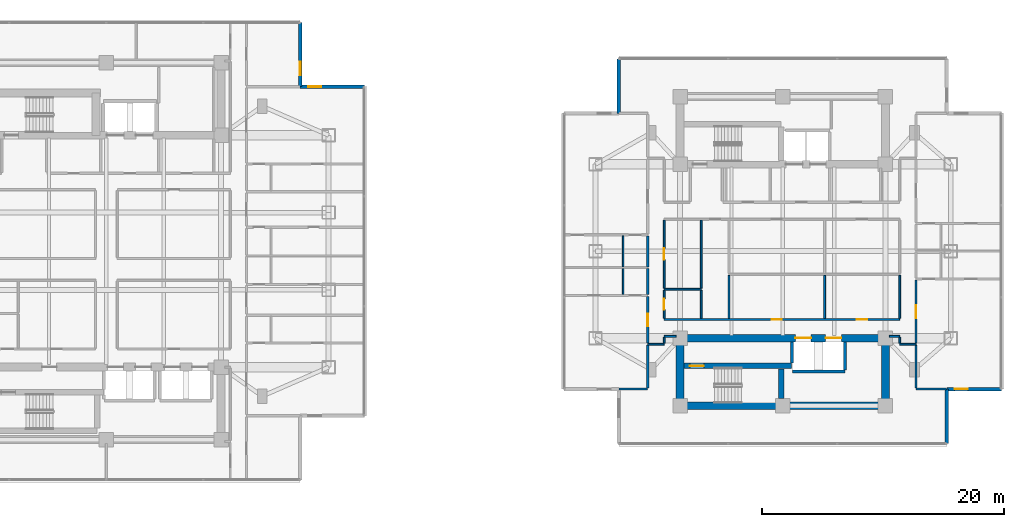
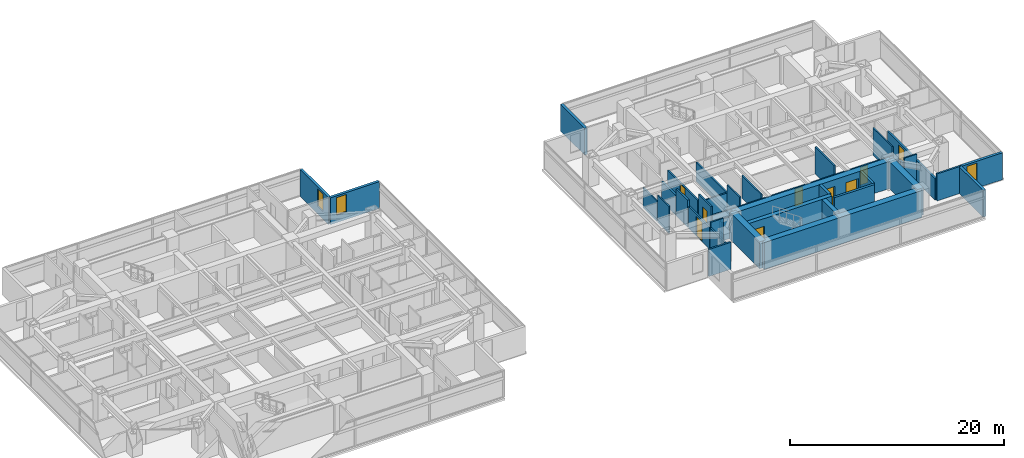
# One storey, part 16 of 24: 39 walls, 9 doors, 3 windows, 12 openings.
"""IFC4 building model written with IfcOpenShell, lengths in metres."""

from ifc_helpers import new_model, si_unit, direction, frame, frame_2d, origin, place, context, subcontext, project, spatial, rectangle, extrude, material, layer, layer_set, type_object, element, fill, save


model = new_model("IFC4")

# Units and contexts
model_context = context("Model", 3, precision=1e-05, world=origin(), true_north=direction((0.0, 1.0)))
body_context = subcontext(model_context, "Body", "Model", "MODEL_VIEW")
ifc_project = project(units=[si_unit("LENGTHUNIT", "METRE"), si_unit("AREAUNIT", "SQUARE_METRE"), si_unit("VOLUMEUNIT", "CUBIC_METRE"), si_unit("PLANEANGLEUNIT", "RADIAN"), si_unit("MASSUNIT", "GRAM", prefix="KILO")], contexts=[model_context])

# Site, building, storey
site_placement = place(None, origin())
site = spatial("IfcSite", under=ifc_project, at=site_placement, CompositionType="ELEMENT")
building_placement = place(site_placement, origin())
building = spatial("IfcBuilding", under=site, at=building_placement, Name="Mirazonda Arch Towers", CompositionType="ELEMENT")
storey_placement = place(building_placement, frame((0.0, 0.0, 101.60009765625)))
storey = spatial("IfcBuildingStorey", under=building, at=storey_placement, Name="L28", CompositionType="ELEMENT", Elevation=101.60009765625)

# Wall, opening, door
ifc_material_1 = material(Name="Concrete C50/60", Category="concrete")
ifc_layer_1 = layer(ifc_material_1, 0.449951171875, Name="WALL-CORE-450")
ifc_layer_set_1 = layer_set([ifc_layer_1], Name="Concrete C50/60")
wall_type_1 = type_object("IfcWallType", Name="WALL-CORE-450", PredefinedType="SHEAR", material=ifc_layer_set_1)
wall_1_placement = place(storey_placement, frame((68.320068359375, 18.5, 0.0), z_axis=(0.0, 0.0, 1.0), x_axis=(1.0, 0.0, 0.0)))
wall_1 = element("IfcWall", 1, at=wall_1_placement, inside=storey, type_object=wall_type_1, Name="L28 Stair Core Shear Wall 014", PredefinedType="SHEAR", context=body_context, shape_type="SweptSolid", body=[
    extrude(rectangle(XDim=8.89990234375, YDim=0.449951171875, at=frame_2d((4.449951171875, 0.0))), origin(), (0.0, 0.0, 1.0), 3.079833984375),
])
opening_1_placement = place(wall_1_placement, frame((0.4951171875, 0.0, 0.0)))
opening_1 = element("IfcOpeningElement", 2, at=opening_1_placement, cuts=wall_1, Name="Opening DR-135", PredefinedType="OPENING", context=body_context, shape_type="SweptSolid", body=[
    extrude(rectangle(XDim=1.14990234375, YDim=2.199951171875, at=frame_2d((0.574951171875, 1.10009765625))), frame((0.0, 0.23486328125, 0.0), z_axis=(0.0, -1.0, 0.0), x_axis=(1.0, 0.0, 0.0)), (0.0, 0.0, 1.0), 0.469970703125),
])
ifc_material_2 = material(Name="Architectural Brushed Steel S355", Category="steel")
door_type_1 = type_object("IfcDoorType", Name="DOOR-STAIR-FD90-1150", OperationType="NOTDEFINED", PredefinedType="DOOR", material=ifc_material_2)
door_1_placement = place(opening_1_placement, origin())
door_1 = element("IfcDoor", 3, at=door_1_placement, inside=storey, type_object=door_type_1, Name="L28 East Protected Stair South Door", OperationType="SINGLE_SWING_RIGHT", OverallHeight=2.199951171875, OverallWidth=1.14990234375, PredefinedType="DOOR", context=body_context, shape_type="SweptSolid", body=[
    extrude(rectangle(XDim=1.14990234375, YDim=2.199951171875, at=frame_2d((0.574951171875, 1.10009765625))), frame((0.0, 0.02490234375, 0.0), z_axis=(0.0, -1.0, 0.0), x_axis=(1.0, 0.0, 0.0)), (0.0, 0.0, 1.0), 0.050048828125),
])
fill(opening_1, door_1)

# Walls
wall_2_placement = place(storey_placement, frame((76.360107421875, 15.81494140625, 0.0), z_axis=(0.0, 0.0, 1.0), x_axis=(0.0, 1.0, 0.0)))
element("IfcWall", 4, at=wall_2_placement, inside=storey, type_object=wall_type_1, Name="L28 Stair Core Shear Wall 151", PredefinedType="SHEAR", context=body_context, shape_type="SweptSolid", body=[
    extrude(rectangle(XDim=2.449951171875, YDim=0.449951171875, at=frame_2d((1.22509765625, 0.0))), origin(), (0.0, 0.0, 1.0), 3.079833984375),
])
ifc_material_3 = material(Name="Concrete C60/75", Category="concrete")
ifc_layer_2 = layer(ifc_material_3, 0.64990234375, Name="WALL-CORE-650")
ifc_layer_set_2 = layer_set([ifc_layer_2], Name="Concrete C60/75")
wall_type_2 = type_object("IfcWallType", Name="WALL-CORE-650", PredefinedType="SHEAR", material=ifc_layer_set_2)
wall_3_placement = place(storey_placement, frame((68.0, 15.199951171875, 0.0), z_axis=(0.0, 0.0, 1.0), x_axis=(1.0, 0.0, 0.0)))
element("IfcWall", 5, at=wall_3_placement, inside=storey, type_object=wall_type_2, Name="L28 T2S-S Core Shear Wall", PredefinedType="SHEAR", context=body_context, shape_type="SweptSolid", body=[
    extrude(rectangle(XDim=17.0, YDim=0.64990234375, at=frame_2d((8.5, 0.0))), origin(), (0.0, 0.0, 1.0), 3.079833984375),
])
for number, where, z_axis, x_axis, name in (
    (6, (68.0, 15.199951171875, 0.0), (0.0, 0.0, 1.0), (0.0, 1.0, 0.0), "L28 T2S-W Core Shear Wall"),
    (7, (85.0, 15.199951171875, 0.0), (0.0, 0.0, 1.0), (0.0, 1.0, 0.0), "L28 T2S-E Core Shear Wall"),
):
    element("IfcWall", number, at=place(storey_placement, frame(where, z_axis=z_axis, x_axis=x_axis)), inside=storey, type_object=wall_type_2, Name=name, PredefinedType="SHEAR", context=body_context, shape_type="SweptSolid", body=[
        extrude(rectangle(XDim=5.60009765625, YDim=0.64990234375, at=frame_2d((2.800048828125, 0.0))), origin(), (0.0, 0.0, 1.0), 3.079833984375),
    ])

# Wall, openings, doors
wall_4_placement = place(storey_placement, frame((68.0, 20.800048828125, 0.0), z_axis=(0.0, 0.0, 1.0), x_axis=(1.0, 0.0, 0.0)))
wall_4 = element("IfcWall", 8, at=wall_4_placement, inside=storey, type_object=wall_type_2, Name="L28 T2S-N Core Shear Wall", PredefinedType="SHEAR", context=body_context, shape_type="SweptSolid", body=[
    extrude(rectangle(XDim=17.0, YDim=0.64990234375, at=frame_2d((8.5, 0.0))), origin(), (0.0, 0.0, 1.0), 3.079833984375),
])
opening_2_placement = place(wall_4_placement, frame((9.550048828125, 0.0, 0.0)))
opening_2 = element("IfcOpeningElement", 9, at=opening_2_placement, cuts=wall_4, Name="Opening LD-111", PredefinedType="OPENING", context=body_context, shape_type="SweptSolid", body=[
    extrude(rectangle(XDim=1.300048828125, YDim=2.300048828125, at=frame_2d((0.64990234375, 1.14990234375))), frame((0.0, 0.3349609375, 0.0), z_axis=(0.0, -1.0, 0.0), x_axis=(1.0, 0.0, 0.0)), (0.0, 0.0, 1.0), 0.669921875),
])
opening_3_placement = place(wall_4_placement, frame((12.050048828125, 0.0, 0.0)))
opening_3 = element("IfcOpeningElement", 10, at=opening_3_placement, cuts=wall_4, Name="Opening LD-111", PredefinedType="OPENING", context=body_context, shape_type="SweptSolid", body=[
    extrude(rectangle(XDim=1.300048828125, YDim=2.300048828125, at=frame_2d((0.64990234375, 1.14990234375))), frame((0.0, 0.3349609375, 0.0), z_axis=(0.0, -1.0, 0.0), x_axis=(1.0, 0.0, 0.0)), (0.0, 0.0, 1.0), 0.669921875),
])
door_type_2 = type_object("IfcDoorType", Name="DOOR-LIFT-LAND-1300", OperationType="NOTDEFINED", PredefinedType="DOOR", material=ifc_material_2)
door_2_placement = place(opening_2_placement, origin())
door_2 = element("IfcDoor", 11, at=door_2_placement, inside=storey, type_object=door_type_2, Name="L28 Lift Landing Sliding Door PL-T2H1", OperationType="DOUBLE_DOOR_SLIDING", OverallHeight=2.300048828125, OverallWidth=1.300048828125, PredefinedType="DOOR", context=body_context, shape_type="SweptSolid", body=[
    extrude(rectangle(XDim=1.300048828125, YDim=2.300048828125, at=frame_2d((0.64990234375, 1.14990234375))), frame((0.0, 0.02490234375, 0.0), z_axis=(0.0, -1.0, 0.0), x_axis=(1.0, 0.0, 0.0)), (0.0, 0.0, 1.0), 0.050048828125),
])
fill(opening_2, door_2)
door_3_placement = place(opening_3_placement, origin())
door_3 = element("IfcDoor", 12, at=door_3_placement, inside=storey, type_object=door_type_2, Name="L28 Lift Landing Sliding Door PL-T2H2", OperationType="DOUBLE_DOOR_SLIDING", OverallHeight=2.300048828125, OverallWidth=1.300048828125, PredefinedType="DOOR", context=body_context, shape_type="SweptSolid", body=[
    extrude(rectangle(XDim=1.300048828125, YDim=2.300048828125, at=frame_2d((0.64990234375, 1.14990234375))), frame((0.0, 0.02490234375, 0.0), z_axis=(0.0, -1.0, 0.0), x_axis=(1.0, 0.0, 0.0)), (0.0, 0.0, 1.0), 0.050048828125),
])
fill(opening_3, door_3)

# Wall, opening, window
ifc_material_4 = material(Name="Precast Concrete C40/50", Category="concrete")
ifc_layer_3 = layer(ifc_material_4, 0.280029296875, Name="WALL-EXT-WALL-280")
ifc_layer_set_3 = layer_set([ifc_layer_3], Name="Precast Concrete C40/50")
wall_type_3 = type_object("IfcWallType", Name="WALL-EXT-WALL-280", PredefinedType="SOLIDWALL", material=ifc_layer_set_3)
wall_5_placement = place(storey_placement, frame((36.544921875, 41.616943359375, 0.0), z_axis=(0.0, 0.0, 1.0), x_axis=(0.0, 1.0, 0.0)))
wall_5 = element("IfcWall", 13, at=wall_5_placement, inside=storey, type_object=wall_type_3, Name="L28 T1 Notched NE Corner Wall WL-L28-T1-CNE", PredefinedType="SOLIDWALL", context=body_context, shape_type="SweptSolid", body=[
    extrude(rectangle(XDim=5.30517578125, YDim=0.280029296875, at=frame_2d((2.652587890625, 0.0))), origin(), (0.0, 0.0, 1.0), 3.059814453125),
])
opening_4_placement = place(wall_5_placement, frame((0.949951171875, 0.0, 0.85009765625)))
opening_4 = element("IfcOpeningElement", 14, at=opening_4_placement, cuts=wall_5, Name="Opening WN-108", PredefinedType="OPENING", context=body_context, shape_type="SweptSolid", body=[
    extrude(rectangle(XDim=1.10009765625, YDim=2.0, at=frame_2d((0.550048828125, 1.0))), frame((0.0, 0.14990234375, 0.0), z_axis=(0.0, -1.0, 0.0), x_axis=(1.0, 0.0, 0.0)), (0.0, 0.0, 1.0), 0.300048828125),
])
ifc_material_5 = material(Name="Insulated Low-E Solar Glass", Category="glass")
window_type = type_object("IfcWindowType", Name="WIN-NOTCH-1100x2000", PartitioningType="SINGLE_PANEL", PredefinedType="WINDOW", material=ifc_material_5)
window_1_placement = place(opening_4_placement, origin())
window_1 = element("IfcWindow", 15, at=window_1_placement, inside=storey, type_object=window_type, Name="L28 Punched Facade Window WN-L28-T1-CNE", OverallHeight=2.0, OverallWidth=1.10009765625, PartitioningType="SINGLE_PANEL", PredefinedType="WINDOW", context=body_context, shape_type="SweptSolid", body=[
    extrude(rectangle(XDim=1.10009765625, YDim=2.0, at=frame_2d((0.550048828125, 1.0))), frame((0.0, 0.030029296875, 0.0), z_axis=(0.0, -1.0, 0.0), x_axis=(1.0, 0.0, 0.0)), (0.0, 0.0, 1.0), 0.06005859375),
])
fill(opening_4, window_1)

wall_6_placement = place(storey_placement, frame((41.85009765625, 41.616943359375, 0.0), z_axis=(0.0, 0.0, 1.0), x_axis=(-1.0, 0.0, 0.0)))
wall_6 = element("IfcWall", 16, at=wall_6_placement, inside=storey, type_object=wall_type_3, Name="L28 T1 Corner Notch Return Wall WL-L28-T1-CNE2", PredefinedType="SOLIDWALL", context=body_context, shape_type="SweptSolid", body=[
    extrude(rectangle(XDim=5.30517578125, YDim=0.280029296875, at=frame_2d((2.652587890625, 0.0))), origin(), (0.0, 0.0, 1.0), 3.059814453125),
])
opening_5_placement = place(wall_6_placement, frame((3.554931640625, 0.0, 0.85009765625)))
opening_5 = element("IfcOpeningElement", 17, at=opening_5_placement, cuts=wall_6, Name="Opening WN-108", PredefinedType="OPENING", context=body_context, shape_type="SweptSolid", body=[
    extrude(rectangle(XDim=1.10009765625, YDim=2.0, at=frame_2d((0.550048828125, 1.0))), frame((0.0, 0.14990234375, 0.0), z_axis=(0.0, -1.0, 0.0), x_axis=(1.0, 0.0, 0.0)), (0.0, 0.0, 1.0), 0.300048828125),
])
window_2_placement = place(opening_5_placement, origin())
window_2 = element("IfcWindow", 18, at=window_2_placement, inside=storey, type_object=window_type, Name="L28 Punched Facade Window WN-L28-T1-CNE2", OverallHeight=2.0, OverallWidth=1.10009765625, PartitioningType="SINGLE_PANEL", PredefinedType="WINDOW", context=body_context, shape_type="SweptSolid", body=[
    extrude(rectangle(XDim=1.10009765625, YDim=2.0, at=frame_2d((0.550048828125, 1.0))), frame((0.0, 0.030029296875, 0.0), z_axis=(0.0, -1.0, 0.0), x_axis=(1.0, 0.0, 0.0)), (0.0, 0.0, 1.0), 0.06005859375),
])
fill(opening_5, window_2)

wall_7_placement = place(storey_placement, frame((90.078125, 16.585693359375, 0.0), z_axis=(0.0, 0.0, 1.0), x_axis=(1.0, 0.0, 0.0)))
wall_7 = element("IfcWall", 19, at=wall_7_placement, inside=storey, type_object=wall_type_3, Name="L28 T2 Corner Notch Return Wall WL-L28-T2-CSE1", PredefinedType="SOLIDWALL", context=body_context, shape_type="SweptSolid", body=[
    extrude(rectangle(XDim=4.516357421875, YDim=0.280029296875, at=frame_2d((2.25830078125, 0.0))), origin(), (0.0, 0.0, 1.0), 3.059814453125),
])
opening_6_placement = place(wall_7_placement, frame((0.64990234375, 0.0, 0.85009765625)))
opening_6 = element("IfcOpeningElement", 20, at=opening_6_placement, cuts=wall_7, Name="Opening WN-108", PredefinedType="OPENING", context=body_context, shape_type="SweptSolid", body=[
    extrude(rectangle(XDim=1.10009765625, YDim=2.0, at=frame_2d((0.550048828125, 1.0))), frame((0.0, 0.14990234375, 0.0), z_axis=(0.0, -1.0, 0.0), x_axis=(1.0, 0.0, 0.0)), (0.0, 0.0, 1.0), 0.300048828125),
])
window_3_placement = place(opening_6_placement, origin())
window_3 = element("IfcWindow", 21, at=window_3_placement, inside=storey, type_object=window_type, Name="L28 Punched Facade Window WN-L28-T2-CSE1", OverallHeight=2.0, OverallWidth=1.10009765625, PartitioningType="SINGLE_PANEL", PredefinedType="WINDOW", context=body_context, shape_type="SweptSolid", body=[
    extrude(rectangle(XDim=1.10009765625, YDim=2.0, at=frame_2d((0.550048828125, 1.0))), frame((0.0, 0.030029296875, 0.0), z_axis=(0.0, -1.0, 0.0), x_axis=(1.0, 0.0, 0.0)), (0.0, 0.0, 1.0), 0.06005859375),
])
fill(opening_6, window_3)

# Walls
for number, where, z_axis, x_axis, name in (
    (22, (90.078125, 12.0693359375, 0.0), (0.0, 0.0, 1.0), (0.0, 1.0, 0.0), "L28 T2 Corner Notch Return Wall WL-L28-T2-CSE2"),
    (23, (62.921875, 43.9306640625, 0.0), (0.0, 0.0, 1.0), (0.0, -1.0, 0.0), "L28 T2 Corner Notch Return Wall WL-L28-T2-CNW2"),
):
    element("IfcWall", number, at=place(storey_placement, frame(where, z_axis=z_axis, x_axis=x_axis)), inside=storey, type_object=wall_type_3, Name=name, PredefinedType="SOLIDWALL", context=body_context, shape_type="SweptSolid", body=[
        extrude(rectangle(XDim=4.516357421875, YDim=0.280029296875, at=frame_2d((2.25830078125, 0.0))), origin(), (0.0, 0.0, 1.0), 3.059814453125),
    ])
ifc_material_6 = material(Name="Fire-Rated Gypsum Stud Partition")
ifc_layer_4 = layer(ifc_material_6, 0.14990234375, Name="WALL-PART-CORR-150")
ifc_layer_set_4 = layer_set([ifc_layer_4], Name="Fire-Rated Gypsum Stud Partition")
wall_type_4 = type_object("IfcWallType", Name="WALL-PART-CORR-150", PredefinedType="PARTITIONING", material=ifc_layer_set_4)
wall_8_placement = place(storey_placement, frame((65.320068359375, 20.300048828125, 0.0), z_axis=(0.0, 0.0, 1.0), x_axis=(1.0, 0.0, 0.0)))
element("IfcWall", 24, at=wall_8_placement, inside=storey, type_object=wall_type_4, Name="L28 Interior Partition 018", PredefinedType="PARTITIONING", context=body_context, shape_type="SweptSolid", body=[
    extrude(rectangle(XDim=1.35986328125, YDim=0.14990234375, at=frame_2d((0.679931640625, 0.0))), origin(), (0.0, 0.0, 1.0), 3.079833984375),
])
wall_9_placement = place(storey_placement, frame((86.179931640625, 20.300048828125, 0.0), z_axis=(0.0, 0.0, 1.0), x_axis=(1.0, 0.0, 0.0)))
element("IfcWall", 25, at=wall_9_placement, inside=storey, type_object=wall_type_4, Name="L28 Interior Partition 019", PredefinedType="PARTITIONING", context=body_context, shape_type="SweptSolid", body=[
    extrude(rectangle(XDim=1.360107421875, YDim=0.14990234375, at=frame_2d((0.68017578125, 0.0))), origin(), (0.0, 0.0, 1.0), 3.079833984375),
])
wall_10_placement = place(storey_placement, frame((66.679931640625, 20.949951171875, 0.0), z_axis=(0.0, 0.0, 1.0), x_axis=(1.0, 0.0, 0.0)))
element("IfcWall", 26, at=wall_10_placement, inside=storey, type_object=wall_type_4, Name="L28 Interior Partition 021", PredefinedType="PARTITIONING", context=body_context, shape_type="SweptSolid", body=[
    extrude(rectangle(XDim=1.0, YDim=0.14990234375, at=frame_2d((0.5, 0.0))), origin(), (0.0, 0.0, 1.0), 2.471923828125),
])
wall_11_placement = place(storey_placement, frame((85.320068359375, 20.949951171875, 0.0), z_axis=(0.0, 0.0, 1.0), x_axis=(1.0, 0.0, 0.0)))
element("IfcWall", 27, at=wall_11_placement, inside=storey, type_object=wall_type_4, Name="L28 Interior Partition 022", PredefinedType="PARTITIONING", context=body_context, shape_type="SweptSolid", body=[
    extrude(rectangle(XDim=0.85986328125, YDim=0.14990234375, at=frame_2d((0.429931640625, 0.0))), origin(), (0.0, 0.0, 1.0), 2.471923828125),
])

# Wall, openings, doors
wall_12_placement = place(storey_placement, frame((66.679931640625, 22.35009765625, 0.0), z_axis=(0.0, 0.0, 1.0), x_axis=(1.0, 0.0, 0.0)))
wall_12 = element("IfcWall", 28, at=wall_12_placement, inside=storey, type_object=wall_type_4, Name="L28 Interior Partition 024", PredefinedType="PARTITIONING", context=body_context, shape_type="SweptSolid", body=[
    extrude(rectangle(XDim=19.5, YDim=0.14990234375, at=frame_2d((9.75, 0.0))), origin(), (0.0, 0.0, 1.0), 2.14501953125),
])
opening_7_placement = place(wall_12_placement, frame((8.901611328125, 0.0, 0.0)))
opening_7 = element("IfcOpeningElement", 29, at=opening_7_placement, cuts=wall_12, Name="Opening DR-128", PredefinedType="OPENING", context=body_context, shape_type="SweptSolid", body=[
    extrude(rectangle(XDim=0.85009765625, YDim=2.010009765625, at=frame_2d((0.425048828125, 1.0048828125))), frame((0.0, 0.0849609375, 0.0), z_axis=(0.0, -1.0, 0.0), x_axis=(1.0, 0.0, 0.0)), (0.0, 0.0, 1.0), 0.169921875),
])
opening_8_placement = place(wall_12_placement, frame((15.946533203125, 0.0, 0.0)))
opening_8 = element("IfcOpeningElement", 30, at=opening_8_placement, cuts=wall_12, Name="Opening DR-128", PredefinedType="OPENING", context=body_context, shape_type="SweptSolid", body=[
    extrude(rectangle(XDim=0.85009765625, YDim=2.010009765625, at=frame_2d((0.425048828125, 1.0048828125))), frame((0.0, 0.0849609375, 0.0), z_axis=(0.0, -1.0, 0.0), x_axis=(1.0, 0.0, 0.0)), (0.0, 0.0, 1.0), 0.169921875),
])
door_type_3 = type_object("IfcDoorType", Name="DOOR-RISER-FD60-850", OperationType="NOTDEFINED", PredefinedType="DOOR", material=ifc_material_2)
door_4_placement = place(opening_7_placement, origin())
door_4 = element("IfcDoor", 31, at=door_4_placement, inside=storey, type_object=door_type_3, Name="L28 Executive Club Lounge Door", OperationType="SINGLE_SWING_RIGHT", OverallHeight=2.010009765625, OverallWidth=0.85009765625, PredefinedType="DOOR", context=body_context, shape_type="SweptSolid", body=[
    extrude(rectangle(XDim=0.85009765625, YDim=2.010009765625, at=frame_2d((0.425048828125, 1.0048828125))), frame((0.0, 0.02490234375, 0.0), z_axis=(0.0, -1.0, 0.0), x_axis=(1.0, 0.0, 0.0)), (0.0, 0.0, 1.0), 0.050048828125),
])
fill(opening_7, door_4)
door_5_placement = place(opening_8_placement, origin())
door_5 = element("IfcDoor", 32, at=door_5_placement, inside=storey, type_object=door_type_3, Name="L28 Business Reading Study Door", OperationType="SINGLE_SWING_LEFT", OverallHeight=2.010009765625, OverallWidth=0.85009765625, PredefinedType="DOOR", context=body_context, shape_type="SweptSolid", body=[
    extrude(rectangle(XDim=0.85009765625, YDim=2.010009765625, at=frame_2d((0.425048828125, 1.0048828125))), frame((0.0, 0.02490234375, 0.0), z_axis=(0.0, -1.0, 0.0), x_axis=(1.0, 0.0, 0.0)), (0.0, 0.0, 1.0), 0.050048828125),
])
fill(opening_8, door_5)

# Walls
wall_13_placement = place(storey_placement, frame((66.679931640625, 24.85009765625, 0.0), z_axis=(0.0, 0.0, 1.0), x_axis=(1.0, 0.0, 0.0)))
element("IfcWall", 33, at=wall_13_placement, inside=storey, type_object=wall_type_4, Name="L28 Interior Partition 028", PredefinedType="PARTITIONING", context=body_context, shape_type="SweptSolid", body=[
    extrude(rectangle(XDim=3.070068359375, YDim=0.14990234375, at=frame_2d((1.53515625, 0.0))), origin(), (0.0, 0.0, 1.0), 2.14501953125),
])
wall_14_placement = place(storey_placement, frame((66.679931640625, 20.385009765625, 0.0), z_axis=(0.0, 0.0, 1.0), x_axis=(0.0, 1.0, 0.0)))
element("IfcWall", 34, at=wall_14_placement, inside=storey, type_object=wall_type_4, Name="L28 Interior Partition 139", PredefinedType="PARTITIONING", context=body_context, shape_type="SweptSolid", body=[
    extrude(rectangle(XDim=0.47998046875, YDim=0.14990234375, at=frame_2d((0.239990234375, 0.0))), origin(), (0.0, 0.0, 1.0), 2.471923828125),
])

# Wall, opening, door
wall_15_placement = place(storey_placement, frame((66.679931640625, 22.43505859375, 0.0), z_axis=(0.0, 0.0, 1.0), x_axis=(0.0, 1.0, 0.0)))
wall_15 = element("IfcWall", 35, at=wall_15_placement, inside=storey, type_object=wall_type_4, Name="L28 Interior Partition 140", PredefinedType="PARTITIONING", context=body_context, shape_type="SweptSolid", body=[
    extrude(rectangle(XDim=2.329833984375, YDim=0.14990234375, at=frame_2d((1.1650390625, 0.0))), origin(), (0.0, 0.0, 1.0), 3.079833984375),
])
opening_9_placement = place(wall_15_placement, frame((0.715087890625, 0.0, 0.0)))
opening_9 = element("IfcOpeningElement", 36, at=opening_9_placement, cuts=wall_15, Name="Opening DR-120", PredefinedType="OPENING", context=body_context, shape_type="SweptSolid", body=[
    extrude(rectangle(XDim=0.89990234375, YDim=2.10009765625, at=frame_2d((0.449951171875, 1.050048828125))), frame((0.0, 0.0849609375, 0.0), z_axis=(0.0, -1.0, 0.0), x_axis=(1.0, 0.0, 0.0)), (0.0, 0.0, 1.0), 0.169921875),
])
door_type_4 = type_object("IfcDoorType", Name="DOOR-WC-900", OperationType="NOTDEFINED", PredefinedType="DOOR", material=ifc_material_2)
door_6_placement = place(opening_9_placement, origin())
door_6 = element("IfcDoor", 37, at=door_6_placement, inside=storey, type_object=door_type_4, Name="L28 Tower 2 Common Accessible WC Door", OperationType="SINGLE_SWING_LEFT", OverallHeight=2.10009765625, OverallWidth=0.89990234375, PredefinedType="DOOR", context=body_context, shape_type="SweptSolid", body=[
    extrude(rectangle(XDim=0.89990234375, YDim=2.10009765625, at=frame_2d((0.449951171875, 1.050048828125))), frame((0.0, 0.02490234375, 0.0), z_axis=(0.0, -1.0, 0.0), x_axis=(1.0, 0.0, 0.0)), (0.0, 0.0, 1.0), 0.050048828125),
])
fill(opening_9, door_6)

wall_16_placement = place(storey_placement, frame((66.679931640625, 24.93505859375, 0.0), z_axis=(0.0, 0.0, 1.0), x_axis=(0.0, 1.0, 0.0)))
wall_16 = element("IfcWall", 38, at=wall_16_placement, inside=storey, type_object=wall_type_4, Name="L28 Interior Partition 141", PredefinedType="PARTITIONING", context=body_context, shape_type="SweptSolid", body=[
    extrude(rectangle(XDim=5.6298828125, YDim=0.14990234375, at=frame_2d((2.81494140625, 0.0))), origin(), (0.0, 0.0, 1.0), 2.298828125),
])
opening_10_placement = place(wall_16_placement, frame((2.340087890625, 0.0, 0.0)))
opening_10 = element("IfcOpeningElement", 39, at=opening_10_placement, cuts=wall_16, Name="Opening DR-104", PredefinedType="OPENING", context=body_context, shape_type="SweptSolid", body=[
    extrude(rectangle(XDim=0.949951171875, YDim=2.14990234375, at=frame_2d((0.47509765625, 1.074951171875))), frame((0.0, 0.0849609375, 0.0), z_axis=(0.0, -1.0, 0.0), x_axis=(1.0, 0.0, 0.0)), (0.0, 0.0, 1.0), 0.169921875),
])
door_type_5 = type_object("IfcDoorType", Name="DOOR-ROOM-950", OperationType="NOTDEFINED", PredefinedType="DOOR", material=ifc_material_2)
door_7_placement = place(opening_10_placement, origin())
door_7 = element("IfcDoor", 40, at=door_7_placement, inside=storey, type_object=door_type_5, Name="L28 L28 East Courtyard Reading Study Door", OperationType="SINGLE_SWING_RIGHT", OverallHeight=2.14990234375, OverallWidth=0.949951171875, PredefinedType="DOOR", context=body_context, shape_type="SweptSolid", body=[
    extrude(rectangle(XDim=0.949951171875, YDim=2.14990234375, at=frame_2d((0.47509765625, 1.074951171875))), frame((0.0, 0.02490234375, 0.0), z_axis=(0.0, -1.0, 0.0), x_axis=(1.0, 0.0, 0.0)), (0.0, 0.0, 1.0), 0.050048828125),
])
fill(opening_10, door_7)

# Walls
wall_17_placement = place(storey_placement, frame((69.743408203125, 22.43505859375, 0.0), z_axis=(0.0, 0.0, 1.0), x_axis=(0.0, 1.0, 0.0)))
element("IfcWall", 41, at=wall_17_placement, inside=storey, type_object=wall_type_4, Name="L28 Interior Partition 144", PredefinedType="PARTITIONING", context=body_context, shape_type="SweptSolid", body=[
    extrude(rectangle(XDim=2.329833984375, YDim=0.14990234375, at=frame_2d((1.1650390625, 0.0))), origin(), (0.0, 0.0, 1.0), 3.079833984375),
])
wall_18_placement = place(storey_placement, frame((69.743408203125, 24.93505859375, 0.0), z_axis=(0.0, 0.0, 1.0), x_axis=(0.0, 1.0, 0.0)))
element("IfcWall", 42, at=wall_18_placement, inside=storey, type_object=wall_type_4, Name="L28 Interior Partition 145", PredefinedType="PARTITIONING", context=body_context, shape_type="SweptSolid", body=[
    extrude(rectangle(XDim=5.6298828125, YDim=0.14990234375, at=frame_2d((2.81494140625, 0.0))), origin(), (0.0, 0.0, 1.0), 2.14501953125),
])
wall_19_placement = place(storey_placement, frame((72.050048828125, 22.43505859375, 0.0), z_axis=(0.0, 0.0, 1.0), x_axis=(0.0, 1.0, 0.0)))
element("IfcWall", 43, at=wall_19_placement, inside=storey, type_object=wall_type_4, Name="L28 Interior Partition 148", PredefinedType="PARTITIONING", context=body_context, shape_type="SweptSolid", body=[
    extrude(rectangle(XDim=3.56494140625, YDim=0.14990234375, at=frame_2d((1.782470703125, 0.0))), origin(), (0.0, 0.0, 1.0), 2.60888671875),
])
wall_20_placement = place(storey_placement, frame((79.962890625, 22.43505859375, 0.0), z_axis=(0.0, 0.0, 1.0), x_axis=(0.0, 1.0, 0.0)))
element("IfcWall", 44, at=wall_20_placement, inside=storey, type_object=wall_type_4, Name="L28 Interior Partition 154", PredefinedType="PARTITIONING", context=body_context, shape_type="SweptSolid", body=[
    extrude(rectangle(XDim=3.56494140625, YDim=0.14990234375, at=frame_2d((1.782470703125, 0.0))), origin(), (0.0, 0.0, 1.0), 3.079833984375),
])
wall_21_placement = place(storey_placement, frame((86.179931640625, 20.385009765625, 0.0), z_axis=(0.0, 0.0, 1.0), x_axis=(0.0, 1.0, 0.0)))
element("IfcWall", 45, at=wall_21_placement, inside=storey, type_object=wall_type_4, Name="L28 Interior Partition 161", PredefinedType="PARTITIONING", context=body_context, shape_type="SweptSolid", body=[
    extrude(rectangle(XDim=0.47998046875, YDim=0.14990234375, at=frame_2d((0.239990234375, 0.0))), origin(), (0.0, 0.0, 1.0), 2.471923828125),
])
wall_22_placement = place(storey_placement, frame((86.179931640625, 22.43505859375, 0.0), z_axis=(0.0, 0.0, 1.0), x_axis=(0.0, 1.0, 0.0)))
element("IfcWall", 46, at=wall_22_placement, inside=storey, type_object=wall_type_4, Name="L28 Interior Partition 162", PredefinedType="PARTITIONING", context=body_context, shape_type="SweptSolid", body=[
    extrude(rectangle(XDim=3.56494140625, YDim=0.14990234375, at=frame_2d((1.782470703125, 0.0))), origin(), (0.0, 0.0, 1.0), 3.079833984375),
])
ifc_material_7 = material(Name="Fire-Rated Gypsum Twin-Stud Assembly")
ifc_layer_5 = layer(ifc_material_7, 0.179931640625, Name="WALL-PART-DEMISE-180")
ifc_layer_set_5 = layer_set([ifc_layer_5], Name="Fire-Rated Gypsum Twin-Stud Assembly")
wall_type_5 = type_object("IfcWallType", Name="WALL-PART-DEMISE-180", PredefinedType="PARTITIONING", material=ifc_layer_set_5)
wall_23_placement = place(storey_placement, frame((62.94189453125, 16.5859375, 0.0), z_axis=(0.0, 0.0, 1.0), x_axis=(1.0, 0.0, 0.0)))
element("IfcWall", 47, at=wall_23_placement, inside=storey, type_object=wall_type_5, Name="L28 Interior Partition 009", PredefinedType="PARTITIONING", context=body_context, shape_type="SweptSolid", body=[
    extrude(rectangle(XDim=2.378173828125, YDim=0.179931640625, at=frame_2d((1.18896484375, 0.0))), origin(), (0.0, 0.0, 1.0), 3.079833984375),
])
wall_24_placement = place(storey_placement, frame((87.5400390625, 16.5859375, 0.0), z_axis=(0.0, 0.0, 1.0), x_axis=(1.0, 0.0, 0.0)))
element("IfcWall", 48, at=wall_24_placement, inside=storey, type_object=wall_type_5, Name="L28 Interior Partition 010", PredefinedType="PARTITIONING", context=body_context, shape_type="SweptSolid", body=[
    extrude(rectangle(XDim=2.51806640625, YDim=0.179931640625, at=frame_2d((1.259033203125, 0.0))), origin(), (0.0, 0.0, 1.0), 3.079833984375),
])
wall_25_placement = place(storey_placement, frame((65.320068359375, 16.68603515625, 0.0), z_axis=(0.0, 0.0, 1.0), x_axis=(0.0, 1.0, 0.0)))
element("IfcWall", 49, at=wall_25_placement, inside=storey, type_object=wall_type_5, Name="L28 Interior Partition 133", PredefinedType="PARTITIONING", context=body_context, shape_type="SweptSolid", body=[
    extrude(rectangle(XDim=3.529052734375, YDim=0.179931640625, at=frame_2d((1.7646484375, 0.0))), origin(), (0.0, 0.0, 1.0), 2.455810546875),
])

# Wall, opening, door
wall_26_placement = place(storey_placement, frame((65.320068359375, 20.385009765625, 0.0), z_axis=(0.0, 0.0, 1.0), x_axis=(0.0, 1.0, 0.0)))
wall_26 = element("IfcWall", 50, at=wall_26_placement, inside=storey, type_object=wall_type_5, Name="L28 Interior Partition 134", PredefinedType="PARTITIONING", context=body_context, shape_type="SweptSolid", body=[
    extrude(rectangle(XDim=3.846923828125, YDim=0.179931640625, at=frame_2d((1.92333984375, 0.0))), origin(), (0.0, 0.0, 1.0), 2.471923828125),
])
opening_11_placement = place(wall_26_placement, frame((1.3984375, 0.0, 0.0)))
opening_11 = element("IfcOpeningElement", 51, at=opening_11_placement, cuts=wall_26, Name="Opening DR-121", PredefinedType="OPENING", context=body_context, shape_type="SweptSolid", body=[
    extrude(rectangle(XDim=1.050048828125, YDim=2.199951171875, at=frame_2d((0.52490234375, 1.10009765625))), frame((0.0, 0.099853515625, 0.0), z_axis=(0.0, -1.0, 0.0), x_axis=(1.0, 0.0, 0.0)), (0.0, 0.0, 1.0), 0.199951171875),
])
door_type_6 = type_object("IfcDoorType", Name="DOOR-SUITE-FD60-1050", OperationType="NOTDEFINED", PredefinedType="DOOR", material=ifc_material_2)
door_8_placement = place(opening_11_placement, origin())
door_8 = element("IfcDoor", 52, at=door_8_placement, inside=storey, type_object=door_type_6, Name="L28 Panoramic Suite Salon 1 Door", OperationType="SINGLE_SWING_RIGHT", OverallHeight=2.199951171875, OverallWidth=1.050048828125, PredefinedType="DOOR", context=body_context, shape_type="SweptSolid", body=[
    extrude(rectangle(XDim=1.050048828125, YDim=2.199951171875, at=frame_2d((0.52490234375, 1.10009765625))), frame((0.0, 0.02490234375, 0.0), z_axis=(0.0, -1.0, 0.0), x_axis=(1.0, 0.0, 0.0)), (0.0, 0.0, 1.0), 0.050048828125),
])
fill(opening_11, door_8)

# Walls
wall_27_placement = place(storey_placement, frame((65.320068359375, 24.431884765625, 0.0), z_axis=(0.0, 0.0, 1.0), x_axis=(0.0, 1.0, 0.0)))
element("IfcWall", 53, at=wall_27_placement, inside=storey, type_object=wall_type_5, Name="L28 Interior Partition 135", PredefinedType="PARTITIONING", context=body_context, shape_type="SweptSolid", body=[
    extrude(rectangle(XDim=2.127685546875, YDim=0.179931640625, at=frame_2d((1.06396484375, 0.0))), origin(), (0.0, 0.0, 1.0), 3.079833984375),
])
wall_28_placement = place(storey_placement, frame((65.320068359375, 26.70458984375, 0.0), z_axis=(0.0, 0.0, 1.0), x_axis=(0.0, 1.0, 0.0)))
element("IfcWall", 54, at=wall_28_placement, inside=storey, type_object=wall_type_5, Name="L28 Interior Partition 136", PredefinedType="PARTITIONING", context=body_context, shape_type="SweptSolid", body=[
    extrude(rectangle(XDim=2.5625, YDim=0.179931640625, at=frame_2d((1.28125, 0.0))), origin(), (0.0, 0.0, 1.0), 2.298828125),
])
wall_29_placement = place(storey_placement, frame((87.5400390625, 16.68603515625, 0.0), z_axis=(0.0, 0.0, 1.0), x_axis=(0.0, 1.0, 0.0)))
element("IfcWall", 55, at=wall_29_placement, inside=storey, type_object=wall_type_5, Name="L28 Interior Partition 165", PredefinedType="PARTITIONING", context=body_context, shape_type="SweptSolid", body=[
    extrude(rectangle(XDim=3.529052734375, YDim=0.179931640625, at=frame_2d((1.7646484375, 0.0))), origin(), (0.0, 0.0, 1.0), 2.455810546875),
])

# Wall, opening, door
wall_30_placement = place(storey_placement, frame((87.5400390625, 20.385009765625, 0.0), z_axis=(0.0, 0.0, 1.0), x_axis=(0.0, 1.0, 0.0)))
wall_30 = element("IfcWall", 56, at=wall_30_placement, inside=storey, type_object=wall_type_5, Name="L28 Interior Partition 166", PredefinedType="PARTITIONING", context=body_context, shape_type="SweptSolid", body=[
    extrude(rectangle(XDim=5.215087890625, YDim=0.179931640625, at=frame_2d((2.607421875, 0.0))), origin(), (0.0, 0.0, 1.0), 2.471923828125),
])
opening_12_placement = place(wall_30_placement, frame((2.08251953125, 0.0, 0.0)))
opening_12 = element("IfcOpeningElement", 57, at=opening_12_placement, cuts=wall_30, Name="Opening DR-121", PredefinedType="OPENING", context=body_context, shape_type="SweptSolid", body=[
    extrude(rectangle(XDim=1.050048828125, YDim=2.199951171875, at=frame_2d((0.52490234375, 1.10009765625))), frame((0.0, 0.099853515625, 0.0), z_axis=(0.0, -1.0, 0.0), x_axis=(1.0, 0.0, 0.0)), (0.0, 0.0, 1.0), 0.199951171875),
])
door_9_placement = place(opening_12_placement, origin())
door_9 = element("IfcDoor", 58, at=door_9_placement, inside=storey, type_object=door_type_6, Name="L28 King Hotel Guestroom 1 Door", OperationType="SINGLE_SWING_RIGHT", OverallHeight=2.199951171875, OverallWidth=1.050048828125, PredefinedType="DOOR", context=body_context, shape_type="SweptSolid", body=[
    extrude(rectangle(XDim=1.050048828125, YDim=2.199951171875, at=frame_2d((0.52490234375, 1.10009765625))), frame((0.0, 0.02490234375, 0.0), z_axis=(0.0, -1.0, 0.0), x_axis=(1.0, 0.0, 0.0)), (0.0, 0.0, 1.0), 0.050048828125),
])
fill(opening_12, door_9)

# Walls
ifc_material_8 = material(Name="Acoustic Fire-Rated Gypsum Partition")
ifc_layer_6 = layer(ifc_material_8, 0.125, Name="WALL-PART-UNIT-125")
ifc_layer_set_6 = layer_set([ifc_layer_6], Name="Acoustic Fire-Rated Gypsum Partition")
wall_type_6 = type_object("IfcWallType", Name="WALL-PART-UNIT-125", PredefinedType="PARTITIONING", material=ifc_layer_set_6)
wall_31_placement = place(storey_placement, frame((63.280029296875, 24.431884765625, 0.0), z_axis=(0.0, 0.0, 1.0), x_axis=(0.0, 1.0, 0.0)))
element("IfcWall", 59, at=wall_31_placement, inside=storey, type_object=wall_type_6, Name="L28 Interior Partition 131", PredefinedType="PARTITIONING", context=body_context, shape_type="SweptSolid", body=[
    extrude(rectangle(XDim=2.127685546875, YDim=0.125, at=frame_2d((1.06396484375, 0.0))), origin(), (0.0, 0.0, 1.0), 3.079833984375),
])
wall_32_placement = place(storey_placement, frame((63.280029296875, 26.70458984375, 0.0), z_axis=(0.0, 0.0, 1.0), x_axis=(0.0, 1.0, 0.0)))
element("IfcWall", 60, at=wall_32_placement, inside=storey, type_object=wall_type_6, Name="L28 Interior Partition 132", PredefinedType="PARTITIONING", context=body_context, shape_type="SweptSolid", body=[
    extrude(rectangle(XDim=2.5625, YDim=0.125, at=frame_2d((1.28125, 0.0))), origin(), (0.0, 0.0, 1.0), 2.298828125),
])
ifc_material_9 = material(Name="Concrete C40/50", Category="concrete")
ifc_layer_7 = layer(ifc_material_9, 0.25, Name="WALL-SHAFT-250")
ifc_layer_set_7 = layer_set([ifc_layer_7], Name="Concrete C40/50")
wall_type_7 = type_object("IfcWallType", Name="WALL-SHAFT-250", PredefinedType="SOLIDWALL", material=ifc_layer_set_7)
wall_33_placement = place(storey_placement, frame((77.300048828125, 18.050048828125, 0.0), z_axis=(0.0, 0.0, 1.0), x_axis=(1.0, 0.0, 0.0)))
element("IfcWall", 61, at=wall_33_placement, inside=storey, type_object=wall_type_7, Name="L28 Interior Partition 011", PredefinedType="SOLIDWALL", context=body_context, shape_type="SweptSolid", body=[
    extrude(rectangle(XDim=4.349853515625, YDim=0.25, at=frame_2d((2.1748046875, 0.0))), origin(), (0.0, 0.0, 1.0), 3.079833984375),
])
wall_34_placement = place(storey_placement, frame((77.260009765625, 18.735107421875, 0.0), z_axis=(0.0, 0.0, 1.0), x_axis=(0.0, 1.0, 0.0)))
element("IfcWall", 62, at=wall_34_placement, inside=storey, type_object=wall_type_7, Name="L28 Interior Partition 153", PredefinedType="SOLIDWALL", context=body_context, shape_type="SweptSolid", body=[
    extrude(rectangle(XDim=1.744873046875, YDim=0.25, at=frame_2d((0.87255859375, 0.0))), origin(), (0.0, 0.0, 1.0), 3.079833984375),
])
wall_35_placement = place(storey_placement, frame((81.64990234375, 18.18505859375, 0.0), z_axis=(0.0, 0.0, 1.0), x_axis=(0.0, 1.0, 0.0)))
element("IfcWall", 63, at=wall_35_placement, inside=storey, type_object=wall_type_7, Name="L28 Interior Partition 159", PredefinedType="SOLIDWALL", context=body_context, shape_type="SweptSolid", body=[
    extrude(rectangle(XDim=2.294921875, YDim=0.25, at=frame_2d((1.1474609375, 0.0))), origin(), (0.0, 0.0, 1.0), 3.079833984375),
])

save(model, "model.ifc")
